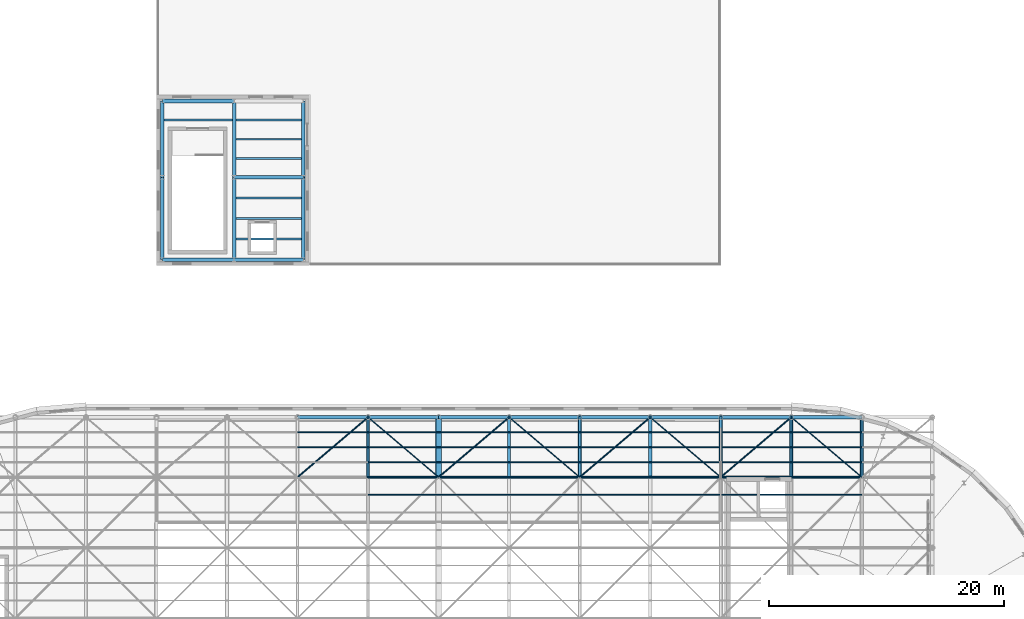
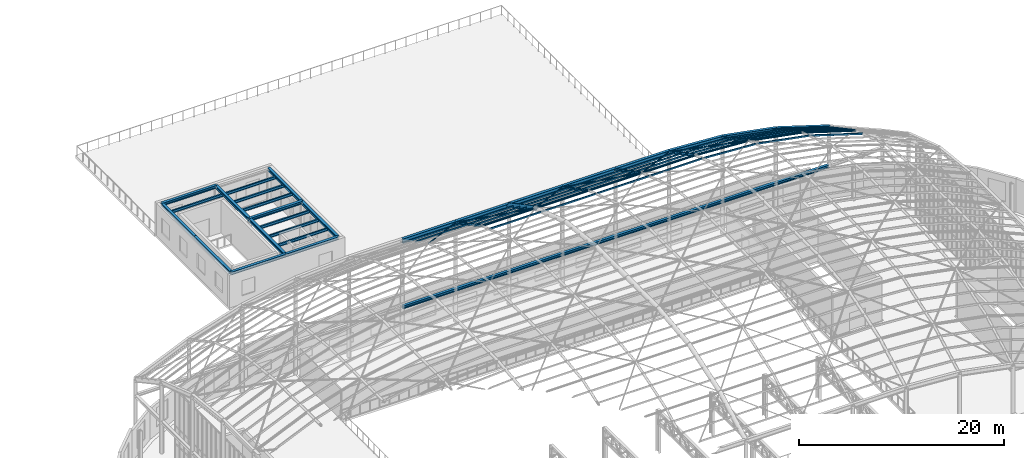
# One storey, part 37 of 75: 53 members, 33 beams.
"""IFC4 building model written with IfcOpenShell, lengths in metres."""

from ifc_helpers import new_model, si_unit, direction, frame, origin, origin_2d, place, context, subcontext, project, spatial, hollow_rectangle, hollow_circle, i_section, extrude, material, material_profile, profile_set, type_object, element, save


model = new_model("IFC4")

# Units and contexts
model_context = context("Model", 3, precision=1e-05, world=origin(), true_north=direction((0.0, 1.0)))
body_context = subcontext(model_context, "Body", "Model", "MODEL_VIEW")
ifc_project = project(units=[si_unit("LENGTHUNIT", "METRE"), si_unit("AREAUNIT", "SQUARE_METRE"), si_unit("VOLUMEUNIT", "CUBIC_METRE"), si_unit("PLANEANGLEUNIT", "RADIAN"), si_unit("MASSUNIT", "GRAM", prefix="KILO")], contexts=[model_context])

# Site, building, storey
site_placement = place(None, origin())
site = spatial("IfcSite", under=ifc_project, at=site_placement, CompositionType="ELEMENT")
building_placement = place(site_placement, origin())
building = spatial("IfcBuilding", under=site, at=building_placement, Name="Kolvaren Corner Interchange", CompositionType="ELEMENT")
storey_placement = place(building_placement, frame((0.0, 0.0, 10.5)))
storey = spatial("IfcBuildingStorey", under=building, at=storey_placement, Name="L03", CompositionType="ELEMENT", Elevation=10.5)

# Beams
ifc_material_1 = material(Name="Steel S355", Category="steel")
ifc_material_profile_1 = material_profile(ifc_material_1, i_section(OverallWidth=0.300048828125, OverallDepth=0.35009765625, WebThickness=0.010009765625, FlangeThickness=0.017578125, FilletRadius=0.027099609375, at=origin_2d()), Name="HEA 360")
ifc_profile_set_1 = profile_set([ifc_material_profile_1], Name="Steel S355")
beam_type_1 = type_object("IfcBeamType", Name="BM-HEA360", PredefinedType="BEAM", material=ifc_profile_set_1)
for number, where, z_axis, x_axis, name in (
    (1, (78.0, 71.10009765625, 3.77490234375), (1.0, 0.0, 0.0), (0.0, 1.0, 0.0), "Storey L03 Grid X Primary Girder 0878"),
    (2, (84.0, 71.10009765625, 3.77490234375), (1.0, 0.0, 0.0), (0.0, 1.0, 0.0), "Storey L03 Grid X Primary Girder 0879"),
    (3, (90.0, 71.10009765625, 3.77490234375), (1.0, 0.0, 0.0), (0.0, 1.0, 0.0), "Storey L03 Grid X Primary Girder 0880"),
    (4, (96.0, 71.10009765625, 3.77490234375), (1.0, 0.0, 0.0), (0.0, 1.0, 0.0), "Storey L03 Grid X Primary Girder 0881"),
    (5, (102.0, 71.10009765625, 3.77490234375), (1.0, 0.0, 0.0), (0.0, 1.0, 0.0), "Storey L03 Grid X Primary Girder 0882"),
    (6, (108.0, 71.10009765625, 3.77490234375), (1.0, 0.0, 0.0), (0.0, 1.0, 0.0), "Storey L03 Grid X Primary Girder 0883"),
    (7, (114.0, 71.10009765625, 3.77490234375), (1.0, 0.0, 0.0), (0.0, 1.0, 0.0), "Storey L03 Grid X Primary Girder 0884"),
    (8, (120.0, 71.10009765625, 3.77490234375), (1.0, 0.0, 0.0), (0.0, 1.0, 0.0), "Storey L03 Grid X Primary Girder 0885"),
):
    element("IfcBeam", number, at=place(storey_placement, frame(where, z_axis=z_axis, x_axis=x_axis)), inside=storey, type_object=beam_type_1, Name=name, PredefinedType="BEAM", context=body_context, shape_type="SweptSolid", body=[
        extrude(i_section(OverallWidth=0.300048828125, OverallDepth=0.35009765625, WebThickness=0.010009765625, FlangeThickness=0.017578125, FilletRadius=0.027099609375, at=origin_2d()), origin(), (0.0, 0.0, 1.0), 6.0),
    ])
beam_1_placement = place(storey_placement, frame((66.5, 84.5, 3.72509765625), z_axis=(1.0, 0.0, 0.0), x_axis=(0.0, 1.0, 0.0)))
element("IfcBeam", 9, at=beam_1_placement, inside=storey, type_object=beam_type_1, Name="Storey L03 Grid X Primary Girder 0969", PredefinedType="BEAM", context=body_context, shape_type="SweptSolid", body=[
    extrude(i_section(OverallWidth=0.300048828125, OverallDepth=0.35009765625, WebThickness=0.010009765625, FlangeThickness=0.017578125, FilletRadius=0.027099609375, at=origin_2d()), origin(), (0.0, 0.0, 1.0), 6.10009765625),
])
for number, where, z_axis, x_axis, name in (
    (10, (72.60009765625, 84.5, 3.72509765625), (1.0, 0.0, 0.0), (0.0, 1.0, 0.0), "Storey L03 Grid X Primary Girder 0970"),
    (11, (72.60009765625, 91.5, 3.72509765625), (1.0, 0.0, 0.0), (0.0, 1.0, 0.0), "Storey L03 Grid X Primary Girder 0971"),
):
    element("IfcBeam", number, at=place(storey_placement, frame(where, z_axis=z_axis, x_axis=x_axis)), inside=storey, type_object=beam_type_1, Name=name, PredefinedType="BEAM", context=body_context, shape_type="SweptSolid", body=[
        extrude(i_section(OverallWidth=0.300048828125, OverallDepth=0.35009765625, WebThickness=0.010009765625, FlangeThickness=0.017578125, FilletRadius=0.027099609375, at=origin_2d()), origin(), (0.0, 0.0, 1.0), 5.89990234375),
    ])
beam_2_placement = place(storey_placement, frame((66.5, 98.0, 3.72509765625), z_axis=(1.0, 0.0, 0.0), x_axis=(0.0, 1.0, 0.0)))
element("IfcBeam", 12, at=beam_2_placement, inside=storey, type_object=beam_type_1, Name="Storey L03 Grid X Primary Girder 0972", PredefinedType="BEAM", context=body_context, shape_type="SweptSolid", body=[
    extrude(i_section(OverallWidth=0.300048828125, OverallDepth=0.35009765625, WebThickness=0.010009765625, FlangeThickness=0.017578125, FilletRadius=0.027099609375, at=origin_2d()), origin(), (0.0, 0.0, 1.0), 6.10009765625),
])
beam_3_placement = place(storey_placement, frame((66.5, 84.5, 3.72509765625), z_axis=(0.0, 1.0, 0.0), x_axis=(-1.0, 0.0, 0.0)))
element("IfcBeam", 13, at=beam_3_placement, inside=storey, type_object=beam_type_1, Name="Storey L03 Grid Y Primary Girder 1020", PredefinedType="BEAM", context=body_context, shape_type="SweptSolid", body=[
    extrude(i_section(OverallWidth=0.300048828125, OverallDepth=0.35009765625, WebThickness=0.010009765625, FlangeThickness=0.017578125, FilletRadius=0.027099609375, at=origin_2d()), origin(), (0.0, 0.0, 1.0), 7.0),
])
beam_4_placement = place(storey_placement, frame((66.5, 91.5, 3.72509765625), z_axis=(0.0, 1.0, 0.0), x_axis=(-1.0, 0.0, 0.0)))
element("IfcBeam", 14, at=beam_4_placement, inside=storey, type_object=beam_type_1, Name="Storey L03 Grid Y Primary Girder 1021", PredefinedType="BEAM", context=body_context, shape_type="SweptSolid", body=[
    extrude(i_section(OverallWidth=0.300048828125, OverallDepth=0.35009765625, WebThickness=0.010009765625, FlangeThickness=0.017578125, FilletRadius=0.027099609375, at=origin_2d()), origin(), (0.0, 0.0, 1.0), 6.5),
])
beam_5_placement = place(storey_placement, frame((72.60009765625, 84.5, 3.72509765625), z_axis=(0.0, 1.0, 0.0), x_axis=(-1.0, 0.0, 0.0)))
element("IfcBeam", 15, at=beam_5_placement, inside=storey, type_object=beam_type_1, Name="Storey L03 Grid Y Primary Girder 1022", PredefinedType="BEAM", context=body_context, shape_type="SweptSolid", body=[
    extrude(i_section(OverallWidth=0.300048828125, OverallDepth=0.35009765625, WebThickness=0.010009765625, FlangeThickness=0.017578125, FilletRadius=0.027099609375, at=origin_2d()), origin(), (0.0, 0.0, 1.0), 7.0),
])
beam_6_placement = place(storey_placement, frame((72.60009765625, 91.5, 3.72509765625), z_axis=(0.0, 1.0, 0.0), x_axis=(-1.0, 0.0, 0.0)))
element("IfcBeam", 16, at=beam_6_placement, inside=storey, type_object=beam_type_1, Name="Storey L03 Grid Y Primary Girder 1023", PredefinedType="BEAM", context=body_context, shape_type="SweptSolid", body=[
    extrude(i_section(OverallWidth=0.300048828125, OverallDepth=0.35009765625, WebThickness=0.010009765625, FlangeThickness=0.017578125, FilletRadius=0.027099609375, at=origin_2d()), origin(), (0.0, 0.0, 1.0), 6.5),
])
beam_7_placement = place(storey_placement, frame((78.5, 84.5, 3.72509765625), z_axis=(0.0, 1.0, 0.0), x_axis=(-1.0, 0.0, 0.0)))
element("IfcBeam", 17, at=beam_7_placement, inside=storey, type_object=beam_type_1, Name="Storey L03 Grid Y Primary Girder 1024", PredefinedType="BEAM", context=body_context, shape_type="SweptSolid", body=[
    extrude(i_section(OverallWidth=0.300048828125, OverallDepth=0.35009765625, WebThickness=0.010009765625, FlangeThickness=0.017578125, FilletRadius=0.027099609375, at=origin_2d()), origin(), (0.0, 0.0, 1.0), 7.0),
])
beam_8_placement = place(storey_placement, frame((78.5, 91.5, 3.72509765625), z_axis=(0.0, 1.0, 0.0), x_axis=(-1.0, 0.0, 0.0)))
element("IfcBeam", 18, at=beam_8_placement, inside=storey, type_object=beam_type_1, Name="Storey L03 Grid Y Primary Girder 1025", PredefinedType="BEAM", context=body_context, shape_type="SweptSolid", body=[
    extrude(i_section(OverallWidth=0.300048828125, OverallDepth=0.35009765625, WebThickness=0.010009765625, FlangeThickness=0.017578125, FilletRadius=0.027099609375, at=origin_2d()), origin(), (0.0, 0.0, 1.0), 6.5),
])
ifc_material_2 = material(Name="Steel S355", Category="steel")
ifc_material_profile_2 = material_profile(ifc_material_2, i_section(OverallWidth=0.300048828125, OverallDepth=0.5400390625, WebThickness=0.012451171875, FlangeThickness=0.02392578125, FilletRadius=0.027099609375, at=origin_2d()), Name="HEA 550")
ifc_profile_set_2 = profile_set([ifc_material_profile_2], Name="Steel S355")
beam_type_2 = type_object("IfcBeamType", Name="BM-HEA550", PredefinedType="BEAM", material=ifc_profile_set_2)
for number, where, z_axis, x_axis, name in (
    (19, (78.0, 71.10009765625, 11.6650390625), (1.0, 0.0, 0.0), (0.0, 1.0, 0.0), "Concourse Translational Gridshell Eaves Ring Beam 020"),
    (20, (84.0, 71.10009765625, 11.6650390625), (1.0, 0.0, 0.0), (0.0, 1.0, 0.0), "Concourse Translational Gridshell Eaves Ring Beam 021"),
    (21, (90.0, 71.10009765625, 11.6650390625), (1.0, 0.0, 0.0), (0.0, 1.0, 0.0), "Concourse Translational Gridshell Eaves Ring Beam 022"),
    (22, (96.0, 71.10009765625, 11.6650390625), (1.0, 0.0, 0.0), (0.0, 1.0, 0.0), "Concourse Translational Gridshell Eaves Ring Beam 023"),
    (23, (102.0, 71.10009765625, 11.6650390625), (1.0, 0.0, 0.0), (0.0, 1.0, 0.0), "Concourse Translational Gridshell Eaves Ring Beam 024"),
):
    element("IfcBeam", number, at=place(storey_placement, frame(where, z_axis=z_axis, x_axis=x_axis)), inside=storey, type_object=beam_type_2, Name=name, PredefinedType="BEAM", context=body_context, shape_type="SweptSolid", body=[
        extrude(i_section(OverallWidth=0.300048828125, OverallDepth=0.5400390625, WebThickness=0.012451171875, FlangeThickness=0.02392578125, FilletRadius=0.027099609375, at=origin_2d()), origin(), (0.0, 0.0, 1.0), 6.0),
    ])
beam_9_placement = place(storey_placement, frame((108.0, 71.10009765625, 11.6650390625), z_axis=(0.998052578483, 0.0, -0.062378286155), x_axis=(0.0, 1.0, 0.0)))
element("IfcBeam", 24, at=beam_9_placement, inside=storey, type_object=beam_type_2, Name="Concourse Translational Gridshell Eaves Ring Beam 025", PredefinedType="BEAM", context=body_context, shape_type="SweptSolid", body=[
    extrude(i_section(OverallWidth=0.300048828125, OverallDepth=0.5400390625, WebThickness=0.012451171875, FlangeThickness=0.02392578125, FilletRadius=0.027099609375, at=origin_2d()), origin(), (0.0, 0.0, 1.0), 6.01171875),
])
beam_10_placement = place(storey_placement, frame((114.0, 71.10009765625, 11.2900390625), z_axis=(0.982872186934, 0.0, -0.18428853505), x_axis=(0.0, 1.0, 0.0)))
element("IfcBeam", 25, at=beam_10_placement, inside=storey, type_object=beam_type_2, Name="Concourse Translational Gridshell Eaves Ring Beam 026", PredefinedType="BEAM", context=body_context, shape_type="SweptSolid", body=[
    extrude(i_section(OverallWidth=0.300048828125, OverallDepth=0.5400390625, WebThickness=0.012451171875, FlangeThickness=0.02392578125, FilletRadius=0.027099609375, at=origin_2d()), origin(), (0.0, 0.0, 1.0), 6.1044921875),
])
beam_11_placement = place(storey_placement, frame((120.0, 71.10009765625, 10.1650390625), z_axis=(0.954479978035, 0.0, -0.298274993136), x_axis=(0.0, 1.0, 0.0)))
element("IfcBeam", 26, at=beam_11_placement, inside=storey, type_object=beam_type_2, Name="Concourse Translational Gridshell Eaves Ring Beam 027", PredefinedType="BEAM", context=body_context, shape_type="SweptSolid", body=[
    extrude(i_section(OverallWidth=0.300048828125, OverallDepth=0.5400390625, WebThickness=0.012451171875, FlangeThickness=0.02392578125, FilletRadius=0.027099609375, at=origin_2d()), origin(), (0.0, 0.0, 1.0), 6.2861328125),
])
ifc_material_3 = material(Name="Steel S355", Category="steel")
ifc_material_profile_3 = material_profile(ifc_material_3, i_section(OverallWidth=0.159912109375, OverallDepth=0.330078125, WebThickness=0.007568359375, FlangeThickness=0.011474609375, FilletRadius=0.01806640625, at=origin_2d()), Name="IPE 330")
ifc_profile_set_3 = profile_set([ifc_material_profile_3], Name="Steel S355")
beam_type_3 = type_object("IfcBeamType", Name="JS-IPE330", PredefinedType="JOIST", material=ifc_profile_set_3)
beam_12_placement = place(storey_placement, frame((66.64990234375, 96.375, 3.735107421875), z_axis=(1.0, 0.0, 0.0), x_axis=(0.0, 1.0, 0.0)))
element("IfcBeam", 27, at=beam_12_placement, inside=storey, type_object=beam_type_3, Name="Storey L03 Composite Floor Joist 0880", PredefinedType="JOIST", context=body_context, shape_type="SweptSolid", body=[
    extrude(i_section(OverallWidth=0.159912109375, OverallDepth=0.330078125, WebThickness=0.007568359375, FlangeThickness=0.011474609375, FilletRadius=0.01806640625, at=origin_2d()), origin(), (0.0, 0.0, 1.0), 5.800048828125),
])
for number, where, z_axis, x_axis, name in (
    (28, (72.75, 86.25, 3.735107421875), (1.0, 0.0, 0.0), (0.0, 1.0, 0.0), "Storey L03 Composite Floor Joist 0881"),
    (29, (72.75, 88.0, 3.735107421875), (1.0, 0.0, 0.0), (0.0, 1.0, 0.0), "Storey L03 Composite Floor Joist 0882"),
    (30, (72.75, 89.75, 3.735107421875), (1.0, 0.0, 0.0), (0.0, 1.0, 0.0), "Storey L03 Composite Floor Joist 0883"),
    (31, (72.75, 93.125, 3.735107421875), (1.0, 0.0, 0.0), (0.0, 1.0, 0.0), "Storey L03 Composite Floor Joist 0884"),
    (32, (72.75, 94.75, 3.735107421875), (1.0, 0.0, 0.0), (0.0, 1.0, 0.0), "Storey L03 Composite Floor Joist 0885"),
    (33, (72.75, 96.375, 3.735107421875), (1.0, 0.0, 0.0), (0.0, 1.0, 0.0), "Storey L03 Composite Floor Joist 0886"),
):
    element("IfcBeam", number, at=place(storey_placement, frame(where, z_axis=z_axis, x_axis=x_axis)), inside=storey, type_object=beam_type_3, Name=name, PredefinedType="JOIST", context=body_context, shape_type="SweptSolid", body=[
        extrude(i_section(OverallWidth=0.159912109375, OverallDepth=0.330078125, WebThickness=0.007568359375, FlangeThickness=0.011474609375, FilletRadius=0.01806640625, at=origin_2d()), origin(), (0.0, 0.0, 1.0), 5.60009765625),
    ])

# Members
ifc_material_4 = material(Name="Steel S355", Category="steel")
ifc_material_profile_4 = material_profile(ifc_material_4, hollow_circle(Radius=0.05078125, WallThickness=0.00634765625, at=origin_2d()), Name="CHS 101.6x6.3")
ifc_profile_set_4 = profile_set([ifc_material_profile_4], Name="Steel S355")
member_type_1 = type_object("IfcMemberType", Name="MEM-BR-CHS102", PredefinedType="BRACE", material=ifc_profile_set_4)
for number, where, z_axis, x_axis, name in (
    (34, (84.0, 71.10009765625, 11.6650390625), (0.719387446525, -0.611491038326, 0.329485070723), (0.647655619635, 0.761933198092, 0.0), "Concourse Translational Gridshell Nodal Diagonal Brace 0056"),
    (35, (96.0, 71.10009765625, 11.6650390625), (0.719387446525, -0.611491038326, 0.329485070723), (0.647655619635, 0.761933198092, 0.0), "Concourse Translational Gridshell Nodal Diagonal Brace 0072"),
):
    element("IfcMember", number, at=place(storey_placement, frame(where, z_axis=z_axis, x_axis=x_axis)), inside=storey, type_object=member_type_1, Name=name, PredefinedType="BRACE", context=body_context, shape_type="SweptSolid", body=[
        extrude(hollow_circle(Radius=0.05078125, WallThickness=0.00634765625, at=origin_2d()), origin(), (0.0, 0.0, 1.0), 8.34033203125),
    ])
member_1_placement = place(storey_placement, frame((108.0, 71.10009765625, 11.6650390625), z_axis=(0.729527914915, -0.620110601504, 0.288533989786), x_axis=(0.647655619635, 0.761933198092, 0.0)))
element("IfcMember", 36, at=member_1_placement, inside=storey, type_object=member_type_1, Name="Concourse Translational Gridshell Nodal Diagonal Brace 0088", PredefinedType="BRACE", context=body_context, shape_type="SweptSolid", body=[
    extrude(hollow_circle(Radius=0.05078125, WallThickness=0.00634765625, at=origin_2d()), origin(), (0.0, 0.0, 1.0), 8.224609375),
])
member_2_placement = place(storey_placement, frame((120.0, 71.10009765625, 10.1650390625), z_axis=(0.757293261075, -0.64371159765, 0.11019208584), x_axis=(0.647655619635, 0.761933198092, 0.0)))
element("IfcMember", 37, at=member_2_placement, inside=storey, type_object=member_type_1, Name="Concourse Translational Gridshell Nodal Diagonal Brace 0104", PredefinedType="BRACE", context=body_context, shape_type="SweptSolid", body=[
    extrude(hollow_circle(Radius=0.05078125, WallThickness=0.00634765625, at=origin_2d()), origin(), (0.0, 0.0, 1.0), 7.9228515625),
])
ifc_material_5 = material(Name="Steel S355", Category="steel")
ifc_material_profile_5 = material_profile(ifc_material_5, hollow_circle(Radius=0.06982421875, WallThickness=0.008056640625, at=origin_2d()), Name="CHS 139.7x8.0")
ifc_profile_set_5 = profile_set([ifc_material_profile_5], Name="Steel S355")
member_type_2 = type_object("IfcMemberType", Name="MEM-BR-CHS140", PredefinedType="BRACE", material=ifc_profile_set_5)
for number, where, z_axis, x_axis, name in (
    (38, (78.0, 66.0, 14.4130859375), (0.719387446525, 0.611491038326, -0.329485070723), (-0.647655619635, 0.761933198092, 0.0), "Concourse Translational Gridshell Nodal Diagonal Brace 0048"),
    (39, (90.0, 66.0, 14.4130859375), (0.719387446525, 0.611491038326, -0.329485070723), (-0.647655619635, 0.761933198092, 0.0), "Concourse Translational Gridshell Nodal Diagonal Brace 0064"),
    (40, (102.0, 66.0, 14.4130859375), (0.719387446525, 0.611491038326, -0.329485070723), (-0.647655619635, 0.761933198092, 0.0), "Concourse Translational Gridshell Nodal Diagonal Brace 0080"),
):
    element("IfcMember", number, at=place(storey_placement, frame(where, z_axis=z_axis, x_axis=x_axis)), inside=storey, type_object=member_type_2, Name=name, PredefinedType="BRACE", context=body_context, shape_type="SweptSolid", body=[
        extrude(hollow_circle(Radius=0.06982421875, WallThickness=0.008056640625, at=origin_2d()), origin(), (0.0, 0.0, 1.0), 8.34033203125),
    ])
member_3_placement = place(storey_placement, frame((114.0, 66.0, 14.0380859375), z_axis=(0.683712456602, 0.581166716244, -0.44134173224), x_axis=(-0.647655619635, 0.761933198092, 0.0)))
element("IfcMember", 41, at=member_3_placement, inside=storey, type_object=member_type_2, Name="Concourse Translational Gridshell Nodal Diagonal Brace 0096", PredefinedType="BRACE", context=body_context, shape_type="SweptSolid", body=[
    extrude(hollow_circle(Radius=0.06982421875, WallThickness=0.008056640625, at=origin_2d()), origin(), (0.0, 0.0, 1.0), 8.775634765625),
])
ifc_material_6 = material(Name="Steel S355", Category="steel")
ifc_material_profile_6 = material_profile(ifc_material_6, hollow_circle(Radius=0.122314453125, WallThickness=0.012451171875, at=origin_2d()), Name="CHS 244.5x12.5")
ifc_profile_set_6 = profile_set([ifc_material_profile_6], Name="Steel S355")
member_type_3 = type_object("IfcMemberType", Name="MEM-CH-CHS245", PredefinedType="CHORD", material=ifc_profile_set_6)
for number, where, z_axis, x_axis, name in (
    (42, (84.0, 66.0, 14.4130859375), (1.0, 0.0, 0.0), (0.0, 1.0, 0.0), "Concourse Translational Gridshell Longitudinal Arch Chord 0195"),
    (43, (90.0, 66.0, 14.4130859375), (1.0, 0.0, 0.0), (0.0, 1.0, 0.0), "Concourse Translational Gridshell Longitudinal Arch Chord 0196"),
    (44, (96.0, 66.0, 14.4130859375), (1.0, 0.0, 0.0), (0.0, 1.0, 0.0), "Concourse Translational Gridshell Longitudinal Arch Chord 0197"),
    (45, (102.0, 66.0, 14.4130859375), (1.0, 0.0, 0.0), (0.0, 1.0, 0.0), "Concourse Translational Gridshell Longitudinal Arch Chord 0198"),
):
    element("IfcMember", number, at=place(storey_placement, frame(where, z_axis=z_axis, x_axis=x_axis)), inside=storey, type_object=member_type_3, Name=name, PredefinedType="CHORD", context=body_context, shape_type="SweptSolid", body=[
        extrude(hollow_circle(Radius=0.122314453125, WallThickness=0.012451171875, at=origin_2d()), origin(), (0.0, 0.0, 1.0), 6.0),
    ])
member_4_placement = place(storey_placement, frame((108.0, 66.0, 14.4130859375), z_axis=(0.998052578483, 0.0, -0.062378286155), x_axis=(0.0, 1.0, 0.0)))
element("IfcMember", 46, at=member_4_placement, inside=storey, type_object=member_type_3, Name="Concourse Translational Gridshell Longitudinal Arch Chord 0199", PredefinedType="CHORD", context=body_context, shape_type="SweptSolid", body=[
    extrude(hollow_circle(Radius=0.122314453125, WallThickness=0.012451171875, at=origin_2d()), origin(), (0.0, 0.0, 1.0), 6.01171875),
])
member_5_placement = place(storey_placement, frame((114.0, 66.0, 14.0380859375), z_axis=(0.982872186934, 0.0, -0.18428853505), x_axis=(0.0, 1.0, 0.0)))
element("IfcMember", 47, at=member_5_placement, inside=storey, type_object=member_type_3, Name="Concourse Translational Gridshell Longitudinal Arch Chord 0200", PredefinedType="CHORD", context=body_context, shape_type="SweptSolid", body=[
    extrude(hollow_circle(Radius=0.122314453125, WallThickness=0.012451171875, at=origin_2d()), origin(), (0.0, 0.0, 1.0), 6.1044921875),
])
member_6_placement = place(storey_placement, frame((120.0, 66.0, 12.9130859375), z_axis=(0.954479978035, 0.0, -0.298274993136), x_axis=(0.0, 1.0, 0.0)))
element("IfcMember", 48, at=member_6_placement, inside=storey, type_object=member_type_3, Name="Concourse Translational Gridshell Longitudinal Arch Chord 0201", PredefinedType="CHORD", context=body_context, shape_type="SweptSolid", body=[
    extrude(hollow_circle(Radius=0.122314453125, WallThickness=0.012451171875, at=origin_2d()), origin(), (0.0, 0.0, 1.0), 6.2861328125),
])
ifc_material_7 = material(Name="Steel S355", Category="steel")
ifc_material_profile_7 = material_profile(ifc_material_7, hollow_circle(Radius=0.136474609375, WallThickness=0.012451171875, at=origin_2d()), Name="CHS 273.0x12.5")
ifc_profile_set_7 = profile_set([ifc_material_profile_7], Name="Steel S355")
member_type_4 = type_object("IfcMemberType", Name="MEM-CH-CHS273", PredefinedType="CHORD", material=ifc_profile_set_7)
for number, where, z_axis, x_axis, name in (
    (49, (84.0, 66.0, 14.4130859375), (0.0, 0.880338454691, -0.474346081666), (-1.0, 0.0, 0.0), "Concourse Translational Gridshell Transverse Arch Chord 0048"),
    (50, (96.0, 66.0, 14.4130859375), (0.0, 0.880338454691, -0.474346081666), (-1.0, 0.0, 0.0), "Concourse Translational Gridshell Transverse Arch Chord 0064"),
    (51, (102.0, 66.0, 14.4130859375), (0.0, 0.880338454691, -0.474346081666), (-1.0, 0.0, 0.0), "Concourse Translational Gridshell Transverse Arch Chord 0072"),
    (52, (114.0, 66.0, 14.0380859375), (0.0, 0.880338454691, -0.474346081666), (-1.0, 0.0, 0.0), "Concourse Translational Gridshell Transverse Arch Chord 0088"),
    (53, (120.0, 66.0, 12.9130859375), (0.0, 0.880338454691, -0.474346081666), (-1.0, 0.0, 0.0), "Concourse Translational Gridshell Transverse Arch Chord 0096"),
    (54, (126.0, 66.0, 11.0380859375), (0.0, 0.880338454691, -0.474346081666), (-1.0, 0.0, 0.0), "Concourse Translational Gridshell Transverse Arch Chord 0104"),
):
    element("IfcMember", number, at=place(storey_placement, frame(where, z_axis=z_axis, x_axis=x_axis)), inside=storey, type_object=member_type_4, Name=name, PredefinedType="CHORD", context=body_context, shape_type="SweptSolid", body=[
        extrude(hollow_circle(Radius=0.136474609375, WallThickness=0.012451171875, at=origin_2d()), origin(), (0.0, 0.0, 1.0), 5.79345703125),
    ])
ifc_material_8 = material(Name="Steel S355", Category="steel")
ifc_material_profile_8 = material_profile(ifc_material_8, hollow_circle(Radius=0.161865234375, WallThickness=0.012451171875, at=origin_2d()), Name="CHS 323.9x12.5")
ifc_profile_set_8 = profile_set([ifc_material_profile_8], Name="Steel S355")
member_type_5 = type_object("IfcMemberType", Name="MEM-CH-CHS324", PredefinedType="CHORD", material=ifc_profile_set_8)
member_7_placement = place(storey_placement, frame((108.0, 66.0, 14.4130859375), z_axis=(0.0, 0.880338454691, -0.474346081666), x_axis=(-1.0, 0.0, 0.0)))
element("IfcMember", 55, at=member_7_placement, inside=storey, type_object=member_type_5, Name="Concourse Translational Gridshell Transverse Arch Chord 0080", PredefinedType="CHORD", context=body_context, shape_type="SweptSolid", body=[
    extrude(hollow_circle(Radius=0.161865234375, WallThickness=0.012451171875, at=origin_2d()), origin(), (0.0, 0.0, 1.0), 5.79345703125),
])
ifc_material_9 = material(Name="Steel S355", Category="steel")
ifc_material_profile_9 = material_profile(ifc_material_9, hollow_circle(Radius=0.25390625, WallThickness=0.01611328125, at=origin_2d()), Name="CHS 508.0x16.0")
ifc_profile_set_9 = profile_set([ifc_material_profile_9], Name="Steel S355")
member_type_6 = type_object("IfcMemberType", Name="MEM-CH-CHS508", PredefinedType="CHORD", material=ifc_profile_set_9)
member_8_placement = place(storey_placement, frame((90.0, 66.0, 14.4130859375), z_axis=(0.0, 0.880338454691, -0.474346081666), x_axis=(-1.0, 0.0, 0.0)))
element("IfcMember", 56, at=member_8_placement, inside=storey, type_object=member_type_6, Name="Concourse Translational Gridshell Transverse Arch Chord 0056", PredefinedType="CHORD", context=body_context, shape_type="SweptSolid", body=[
    extrude(hollow_circle(Radius=0.25390625, WallThickness=0.01611328125, at=origin_2d()), origin(), (0.0, 0.0, 1.0), 5.79345703125),
])
ifc_material_10 = material(Name="Steel S355", Category="steel")
ifc_material_profile_10 = material_profile(ifc_material_10, hollow_rectangle(XDim=0.10009765625, YDim=0.179931640625, WallThickness=0.008056640625, InnerFilletRadius=0.008056640625, OuterFilletRadius=0.01611328125, at=origin_2d()), Name="RHS 180x100x8.0")
ifc_profile_set_10 = profile_set([ifc_material_profile_10], Name="Steel S355")
member_type_7 = type_object("IfcMemberType", Name="MEM-PR-RHS180", PredefinedType="PURLIN", material=ifc_profile_set_10)
for number, where, z_axis, x_axis, name in (
    (57, (78.0, 68.550048828125, 13.0869140625), (1.0, 0.0, 0.0), (0.0, 1.0, 0.0), "Concourse Translational Gridshell Glazing Purlin 0048 Row 2"),
    (58, (84.0, 68.550048828125, 13.0869140625), (1.0, 0.0, 0.0), (0.0, 1.0, 0.0), "Concourse Translational Gridshell Glazing Purlin 0056 Row 2"),
    (59, (90.0, 68.550048828125, 13.0869140625), (1.0, 0.0, 0.0), (0.0, 1.0, 0.0), "Concourse Translational Gridshell Glazing Purlin 0064 Row 2"),
    (60, (96.0, 68.550048828125, 13.0869140625), (1.0, 0.0, 0.0), (0.0, 1.0, 0.0), "Concourse Translational Gridshell Glazing Purlin 0072 Row 2"),
    (61, (102.0, 68.550048828125, 13.0869140625), (1.0, 0.0, 0.0), (0.0, 1.0, 0.0), "Concourse Translational Gridshell Glazing Purlin 0080 Row 2"),
):
    element("IfcMember", number, at=place(storey_placement, frame(where, z_axis=z_axis, x_axis=x_axis)), inside=storey, type_object=member_type_7, Name=name, PredefinedType="PURLIN", context=body_context, shape_type="SweptSolid", body=[
        extrude(hollow_rectangle(XDim=0.10009765625, YDim=0.179931640625, WallThickness=0.008056640625, InnerFilletRadius=0.008056640625, OuterFilletRadius=0.01611328125, at=origin_2d()), origin(), (0.0, 0.0, 1.0), 6.0),
    ])
member_9_placement = place(storey_placement, frame((108.0, 68.550048828125, 13.0869140625), z_axis=(0.998052578483, 0.0, -0.062378286155), x_axis=(0.0, 1.0, 0.0)))
element("IfcMember", 62, at=member_9_placement, inside=storey, type_object=member_type_7, Name="Concourse Translational Gridshell Glazing Purlin 0088 Row 2", PredefinedType="PURLIN", context=body_context, shape_type="SweptSolid", body=[
    extrude(hollow_rectangle(XDim=0.10009765625, YDim=0.179931640625, WallThickness=0.008056640625, InnerFilletRadius=0.008056640625, OuterFilletRadius=0.01611328125, at=origin_2d()), origin(), (0.0, 0.0, 1.0), 6.01171875),
])
member_10_placement = place(storey_placement, frame((114.0, 68.550048828125, 12.7119140625), z_axis=(0.982872186934, 0.0, -0.18428853505), x_axis=(0.0, 1.0, 0.0)))
element("IfcMember", 63, at=member_10_placement, inside=storey, type_object=member_type_7, Name="Concourse Translational Gridshell Glazing Purlin 0096 Row 2", PredefinedType="PURLIN", context=body_context, shape_type="SweptSolid", body=[
    extrude(hollow_rectangle(XDim=0.10009765625, YDim=0.179931640625, WallThickness=0.008056640625, InnerFilletRadius=0.008056640625, OuterFilletRadius=0.01611328125, at=origin_2d()), origin(), (0.0, 0.0, 1.0), 6.1044921875),
])
member_11_placement = place(storey_placement, frame((120.0, 68.550048828125, 11.5869140625), z_axis=(0.954479978035, 0.0, -0.298274993136), x_axis=(0.0, 1.0, 0.0)))
element("IfcMember", 64, at=member_11_placement, inside=storey, type_object=member_type_7, Name="Concourse Translational Gridshell Glazing Purlin 0104 Row 2", PredefinedType="PURLIN", context=body_context, shape_type="SweptSolid", body=[
    extrude(hollow_rectangle(XDim=0.10009765625, YDim=0.179931640625, WallThickness=0.008056640625, InnerFilletRadius=0.008056640625, OuterFilletRadius=0.01611328125, at=origin_2d()), origin(), (0.0, 0.0, 1.0), 6.2861328125),
])
ifc_material_11 = material(Name="Steel S355", Category="steel")
ifc_material_profile_11 = material_profile(ifc_material_11, hollow_rectangle(XDim=0.10009765625, YDim=0.199951171875, WallThickness=0.008056640625, InnerFilletRadius=0.008056640625, OuterFilletRadius=0.01611328125, at=origin_2d()), Name="RHS 200x100x8.0")
ifc_profile_set_11 = profile_set([ifc_material_profile_11], Name="Steel S355")
member_type_8 = type_object("IfcMemberType", Name="MEM-PR-RHS200", PredefinedType="PURLIN", material=ifc_profile_set_11)
for number, where, z_axis, x_axis, name in (
    (65, (78.0, 69.824951171875, 12.389892578125), (1.0, 0.0, 0.0), (0.0, 1.0, 0.0), "Concourse Translational Gridshell Glazing Purlin 0048 Row 3"),
    (66, (84.0, 64.5, 14.950927734375), (1.0, 0.0, 0.0), (0.0, 1.0, 0.0), "Concourse Translational Gridshell Glazing Purlin 0055 Row 3"),
    (67, (84.0, 67.27490234375, 13.763916015625), (1.0, 0.0, 0.0), (0.0, 1.0, 0.0), "Concourse Translational Gridshell Glazing Purlin 0056 Row 1"),
    (68, (84.0, 69.824951171875, 12.389892578125), (1.0, 0.0, 0.0), (0.0, 1.0, 0.0), "Concourse Translational Gridshell Glazing Purlin 0056 Row 3"),
    (69, (90.0, 64.5, 14.950927734375), (1.0, 0.0, 0.0), (0.0, 1.0, 0.0), "Concourse Translational Gridshell Glazing Purlin 0063 Row 3"),
    (70, (90.0, 67.27490234375, 13.763916015625), (1.0, 0.0, 0.0), (0.0, 1.0, 0.0), "Concourse Translational Gridshell Glazing Purlin 0064 Row 1"),
    (71, (90.0, 69.824951171875, 12.389892578125), (1.0, 0.0, 0.0), (0.0, 1.0, 0.0), "Concourse Translational Gridshell Glazing Purlin 0064 Row 3"),
    (72, (96.0, 64.5, 14.950927734375), (1.0, 0.0, 0.0), (0.0, 1.0, 0.0), "Concourse Translational Gridshell Glazing Purlin 0071 Row 3"),
    (73, (96.0, 67.27490234375, 13.763916015625), (1.0, 0.0, 0.0), (0.0, 1.0, 0.0), "Concourse Translational Gridshell Glazing Purlin 0072 Row 1"),
    (74, (96.0, 69.824951171875, 12.389892578125), (1.0, 0.0, 0.0), (0.0, 1.0, 0.0), "Concourse Translational Gridshell Glazing Purlin 0072 Row 3"),
    (75, (102.0, 64.5, 14.950927734375), (1.0, 0.0, 0.0), (0.0, 1.0, 0.0), "Concourse Translational Gridshell Glazing Purlin 0079 Row 3"),
    (76, (102.0, 67.27490234375, 13.763916015625), (1.0, 0.0, 0.0), (0.0, 1.0, 0.0), "Concourse Translational Gridshell Glazing Purlin 0080 Row 1"),
    (77, (102.0, 69.824951171875, 12.389892578125), (1.0, 0.0, 0.0), (0.0, 1.0, 0.0), "Concourse Translational Gridshell Glazing Purlin 0080 Row 3"),
):
    element("IfcMember", number, at=place(storey_placement, frame(where, z_axis=z_axis, x_axis=x_axis)), inside=storey, type_object=member_type_8, Name=name, PredefinedType="PURLIN", context=body_context, shape_type="SweptSolid", body=[
        extrude(hollow_rectangle(XDim=0.10009765625, YDim=0.199951171875, WallThickness=0.008056640625, InnerFilletRadius=0.008056640625, OuterFilletRadius=0.01611328125, at=origin_2d()), origin(), (0.0, 0.0, 1.0), 6.0),
    ])
for number, where, z_axis, x_axis, name in (
    (78, (108.0, 64.5, 14.950927734375), (0.998052578483, 0.0, -0.062378286155), (0.0, 1.0, 0.0), "Concourse Translational Gridshell Glazing Purlin 0087 Row 3"),
    (79, (108.0, 67.27490234375, 13.763916015625), (0.998052578483, 0.0, -0.062378286155), (0.0, 1.0, 0.0), "Concourse Translational Gridshell Glazing Purlin 0088 Row 1"),
    (80, (108.0, 69.824951171875, 12.389892578125), (0.998052578483, 0.0, -0.062378286155), (0.0, 1.0, 0.0), "Concourse Translational Gridshell Glazing Purlin 0088 Row 3"),
):
    element("IfcMember", number, at=place(storey_placement, frame(where, z_axis=z_axis, x_axis=x_axis)), inside=storey, type_object=member_type_8, Name=name, PredefinedType="PURLIN", context=body_context, shape_type="SweptSolid", body=[
        extrude(hollow_rectangle(XDim=0.10009765625, YDim=0.199951171875, WallThickness=0.008056640625, InnerFilletRadius=0.008056640625, OuterFilletRadius=0.01611328125, at=origin_2d()), origin(), (0.0, 0.0, 1.0), 6.01171875),
    ])
for number, where, z_axis, x_axis, name in (
    (81, (114.0, 64.5, 14.575927734375), (0.982872186934, 0.0, -0.18428853505), (0.0, 1.0, 0.0), "Concourse Translational Gridshell Glazing Purlin 0095 Row 3"),
    (82, (114.0, 67.27490234375, 13.388916015625), (0.982872186934, 0.0, -0.18428853505), (0.0, 1.0, 0.0), "Concourse Translational Gridshell Glazing Purlin 0096 Row 1"),
    (83, (114.0, 69.824951171875, 12.014892578125), (0.982872186934, 0.0, -0.18428853505), (0.0, 1.0, 0.0), "Concourse Translational Gridshell Glazing Purlin 0096 Row 3"),
):
    element("IfcMember", number, at=place(storey_placement, frame(where, z_axis=z_axis, x_axis=x_axis)), inside=storey, type_object=member_type_8, Name=name, PredefinedType="PURLIN", context=body_context, shape_type="SweptSolid", body=[
        extrude(hollow_rectangle(XDim=0.10009765625, YDim=0.199951171875, WallThickness=0.008056640625, InnerFilletRadius=0.008056640625, OuterFilletRadius=0.01611328125, at=origin_2d()), origin(), (0.0, 0.0, 1.0), 6.1044921875),
    ])
for number, where, z_axis, x_axis, name in (
    (84, (120.0, 64.5, 13.450927734375), (0.954479978035, 0.0, -0.298274993136), (0.0, 1.0, 0.0), "Concourse Translational Gridshell Glazing Purlin 0103 Row 3"),
    (85, (120.0, 67.27490234375, 12.263916015625), (0.954479978035, 0.0, -0.298274993136), (0.0, 1.0, 0.0), "Concourse Translational Gridshell Glazing Purlin 0104 Row 1"),
    (86, (120.0, 69.824951171875, 10.889892578125), (0.954479978035, 0.0, -0.298274993136), (0.0, 1.0, 0.0), "Concourse Translational Gridshell Glazing Purlin 0104 Row 3"),
):
    element("IfcMember", number, at=place(storey_placement, frame(where, z_axis=z_axis, x_axis=x_axis)), inside=storey, type_object=member_type_8, Name=name, PredefinedType="PURLIN", context=body_context, shape_type="SweptSolid", body=[
        extrude(hollow_rectangle(XDim=0.10009765625, YDim=0.199951171875, WallThickness=0.008056640625, InnerFilletRadius=0.008056640625, OuterFilletRadius=0.01611328125, at=origin_2d()), origin(), (0.0, 0.0, 1.0), 6.2861328125),
    ])

save(model, "model.ifc")
